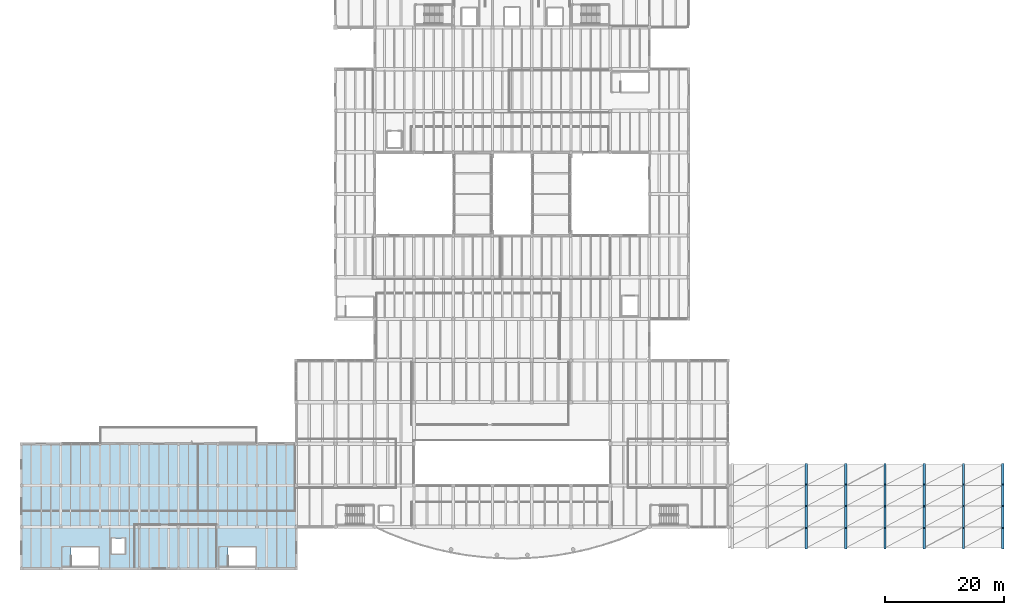
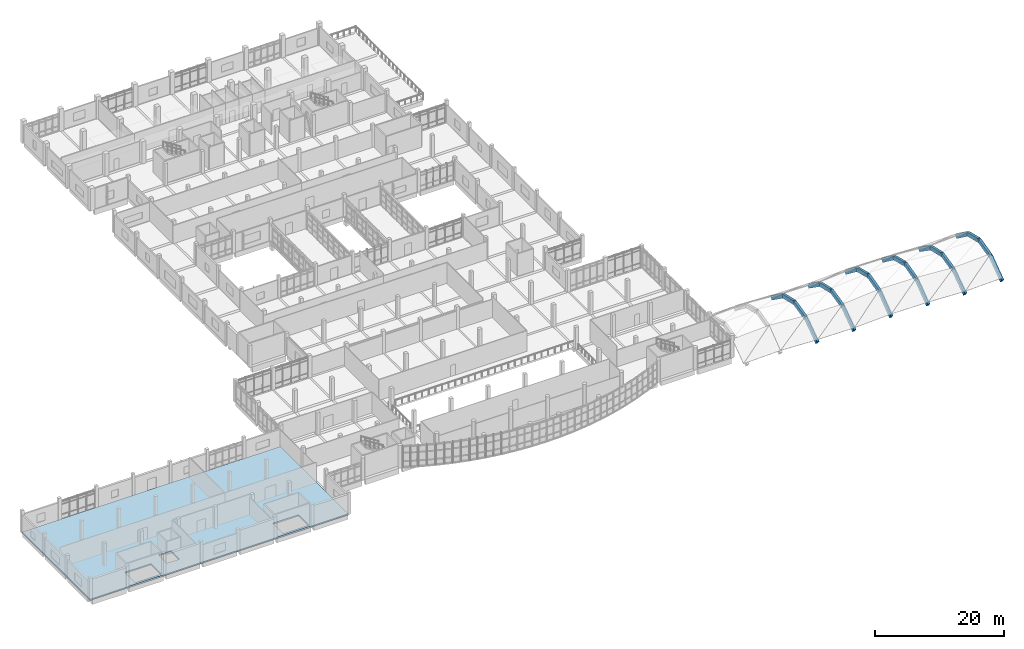
# One storey, part 34 of 65: 24 beams, 1 slab.
"""IFC4 building model written with IfcOpenShell, lengths in metres."""

import ifcopenshell
import ifcopenshell.guid

model = None  # the IFC model being written
_history = None  # IfcOwnerHistory: only IFC2X3 demands one
_inside = {}  # id of a spatial element -> (the spatial element, [elements in it])
_under = {}  # id of a project, library or spatial element -> (it, [spatial elements below it])
_declared = {}  # id of a project -> (the project, [libraries it declares])
_typed = {}  # id of a type object -> (the type object, [elements of that type])
_made_of = {}  # id of a material, layer set ... -> (it, [elements and type objects made of it])


def new_model(schema):
    """Start an empty IFC model of exactly this schema.

    Asked for "IFC4X3", IfcOpenShell would pick the latest addendum, in which some entities
    have other attributes; the version numbers below select the first issue.
    IFC2X3 requires an IfcOwnerHistory on every rooted entity: one is made here for all.
    """
    global model, _history
    if schema == "IFC4X3":
        model = ifcopenshell.file(schema_version=(4, 3, 0, 0))
    else:
        model = ifcopenshell.file(schema=schema)
    _inside.clear()
    _under.clear()
    _declared.clear()
    _typed.clear()
    _made_of.clear()
    _history = None
    if model.schema == "IFC2X3":
        org = make("IfcOrganization", Name="unknown")
        user = make(
            "IfcPersonAndOrganization",
            ThePerson=make("IfcPerson", FamilyName="unknown"),
            TheOrganization=org,
        )
        app = make(
            "IfcApplication",
            ApplicationDeveloper=org,
            Version="unknown",
            ApplicationFullName="unknown",
            ApplicationIdentifier="unknown",
        )
        _history = make(
            "IfcOwnerHistory",
            OwningUser=user,
            OwningApplication=app,
            ChangeAction="ADDED",
            CreationDate=0,
        )
    return model


def make(cls, **values):
    """One entity of the class cls with the attributes given. An attribute that is None is left unset."""
    return model.create_entity(
        cls, **{name: value for name, value in values.items() if value is not None}
    )


def rooted(cls, **values):
    """An entity with a GlobalId (a new one), such as an element, a storey or a relation."""
    return make(cls, GlobalId=ifcopenshell.guid.new(), OwnerHistory=_history, **values)


def si_unit(unit_type, name, prefix=None):
    """IfcSIUnit, for example si_unit("LENGTHUNIT", "METRE", prefix="MILLI")."""
    return make("IfcSIUnit", UnitType=unit_type, Prefix=prefix, Name=name)


def assignment(units):
    """IfcUnitAssignment: the units of a project."""
    return None if units is None else make("IfcUnitAssignment", Units=units)


def point(xyz):
    """IfcCartesianPoint."""
    return None if xyz is None else make("IfcCartesianPoint", Coordinates=xyz)


def direction(xyz):
    """IfcDirection."""
    return None if xyz is None else make("IfcDirection", DirectionRatios=xyz)


def frame(location, z_axis=None, x_axis=None):
    """IfcAxis2Placement3D, a coordinate frame: its origin and axes. An axis left out is left unset."""
    return make(
        "IfcAxis2Placement3D",
        Location=point(location),
        Axis=direction(z_axis),
        RefDirection=direction(x_axis),
    )


def frame_2d(location, x_axis=None):
    """IfcAxis2Placement2D, a coordinate frame in the plane: its origin and x axis."""
    return make(
        "IfcAxis2Placement2D", Location=point(location), RefDirection=direction(x_axis)
    )


def origin():
    """The frame at (0, 0, 0) with its axes left unset."""
    return frame((0.0, 0.0, 0.0))


def origin_2d():
    """The frame at (0, 0) in the plane with its x axis left unset."""
    return frame_2d((0.0, 0.0))


def place(relative_to, where):
    """IfcLocalPlacement: puts the frame where relative to a parent placement (None: the world)."""
    return make(
        "IfcLocalPlacement", PlacementRelTo=relative_to, RelativePlacement=where
    )


def context(
    kind, dimensions, precision=None, world=None, true_north=None, identifier=None
):
    """IfcGeometricRepresentationContext, for example the 3D "Model" context."""
    return make(
        "IfcGeometricRepresentationContext",
        ContextIdentifier=identifier,
        ContextType=kind,
        CoordinateSpaceDimension=dimensions,
        Precision=precision,
        WorldCoordinateSystem=world,
        TrueNorth=true_north,
    )


def subcontext(parent, identifier, kind, view, scale=None):
    """IfcGeometricRepresentationSubContext, for example "Body" below "Model"."""
    return make(
        "IfcGeometricRepresentationSubContext",
        ContextIdentifier=identifier,
        ContextType=kind,
        ParentContext=parent,
        TargetScale=scale,
        TargetView=view,
    )


def project(units=None, contexts=None):
    """IfcProject with its units and contexts."""
    return rooted(
        "IfcProject",
        Name="project",
        RepresentationContexts=contexts,
        UnitsInContext=assignment(units),
    )


def spatial(cls, under=None, at=None, **own):
    """A site, building, storey or space (cls), placed at a placement, below another one or the project."""
    s = rooted(cls, ObjectPlacement=at, **own)
    if under is not None:
        _under.setdefault(under.id(), (under, []))[1].append(s)
    return s


def polyline(points):
    """IfcPolyline through the points."""
    return make("IfcPolyline", Points=[point(p) for p in points])


def profile(cls, at=None, kind="AREA", **sizes):
    """A parametric profile (cls). Its sizes go by their IFC names, for example OverallWidth=200.0."""
    return make(cls, ProfileType=kind, Position=at, **sizes)


def rectangle(**sizes):
    """IfcRectangleProfileDef."""
    return profile("IfcRectangleProfileDef", **sizes)


def outline(outer, holes=None, kind="AREA"):
    """IfcArbitraryClosedProfileDef: a profile drawn as a closed curve; with holes, ...WithVoids."""
    if holes is None:
        return make("IfcArbitraryClosedProfileDef", ProfileType=kind, OuterCurve=outer)
    return make(
        "IfcArbitraryProfileDefWithVoids",
        ProfileType=kind,
        OuterCurve=outer,
        InnerCurves=holes,
    )


def extrude(swept, where, along, depth):
    """IfcExtrudedAreaSolid: the profile swept, set in the frame where, extruded along a direction by depth."""
    return make(
        "IfcExtrudedAreaSolid",
        SweptArea=swept,
        Position=where,
        ExtrudedDirection=direction(along),
        Depth=depth,
    )


def shape(context_of_items, identifier, shape_type, items):
    """IfcShapeRepresentation: the items that make up one representation, for example the "Body"."""
    return make(
        "IfcShapeRepresentation",
        ContextOfItems=context_of_items,
        RepresentationIdentifier=identifier,
        RepresentationType=shape_type,
        Items=items,
    )


def material(Name=None, Category=None):
    """IfcMaterial."""
    return make("IfcMaterial", Name=Name, Category=Category)


def layer(
    of_material, thickness, ventilated=None, Name=None, Category=None, Priority=None
):
    """IfcMaterialLayer: one layer of a wall or slab, of a material (None: an air gap)."""
    return make(
        "IfcMaterialLayer",
        Material=of_material,
        LayerThickness=thickness,
        IsVentilated=ventilated,
        Name=Name,
        Category=Category,
        Priority=Priority,
    )


def layer_set(layers, Name=None):
    """IfcMaterialLayerSet."""
    return make("IfcMaterialLayerSet", MaterialLayers=layers, LayerSetName=Name)


def material_profile(
    of_material, cross_section, Name=None, Category=None, Priority=None
):
    """IfcMaterialProfile: a cross section and its material."""
    return make(
        "IfcMaterialProfile",
        Name=Name,
        Material=of_material,
        Profile=cross_section,
        Priority=Priority,
        Category=Category,
    )


def profile_set(profiles, Name=None, composite=None):
    """IfcMaterialProfileSet."""
    return make(
        "IfcMaterialProfileSet",
        Name=Name,
        MaterialProfiles=profiles,
        CompositeProfile=composite,
    )


def made_of(thing, what):
    """Note that an element or type object is made of a material, layer set ...; save() writes the relation."""
    if what is not None:
        _made_of.setdefault(what.id(), (what, []))[1].append(thing)
    return thing


def type_object(cls, material=None, **own):
    """A type object (cls), such as IfcWallType, which elements share."""
    return made_of(rooted(cls, **own), material)


def element(
    cls,
    number,
    at=None,
    inside=None,
    cuts=None,
    type_object=None,
    material=None,
    context=None,
    identifier="Body",
    shape_type=None,
    held_by="IfcProductDefinitionShape",
    body=None,
    shapes=None,
    **own,
):
    """One element of the class cls, such as IfcWall. Its Tag is "e" and its number.

    at: its placement. inside: the storey or other place that contains it. cuts: it is an
    opening in that element (IfcRelVoidsElement). A single representation is given by context,
    identifier, shape_type and body (its items); several are given by shapes. held_by: the class
    of the entity that holds the representations. save() writes the other relations.
    """
    e = rooted(cls, Tag="e%d" % number, ObjectPlacement=at, **own)
    if body is not None:
        shapes = [shape(context, identifier, shape_type, body)]
    if shapes is not None:
        e.Representation = make(held_by, Representations=shapes)
    if inside is not None:
        _inside.setdefault(inside.id(), (inside, []))[1].append(e)
    if cuts is not None:
        rooted(
            "IfcRelVoidsElement", RelatingBuildingElement=cuts, RelatedOpeningElement=e
        )
    if type_object is not None:
        _typed.setdefault(type_object.id(), (type_object, []))[1].append(e)
    return made_of(e, material)


def aggregate(whole, parts):
    """IfcRelAggregates: a whole, such as a stair, and the parts it consists of."""
    return rooted("IfcRelAggregates", RelatingObject=whole, RelatedObjects=parts)


def save(model, path):
    """Write the relations noted so far, then the file.

    IfcRelAggregates (storeys below a building ...), IfcRelContainedInSpatialStructure (elements
    in a storey), IfcRelDefinesByType, IfcRelAssociatesMaterial and IfcRelDeclares: one each for
    every whole, place, type object, material and project.
    """
    for whole, parts in _under.values():
        aggregate(whole, parts)
    for where, things in _inside.values():
        rooted(
            "IfcRelContainedInSpatialStructure",
            RelatedElements=things,
            RelatingStructure=where,
        )
    for kind, things in _typed.values():
        rooted("IfcRelDefinesByType", RelatedObjects=things, RelatingType=kind)
    for what, things in _made_of.values():
        rooted("IfcRelAssociatesMaterial", RelatedObjects=things, RelatingMaterial=what)
    for by, libraries in _declared.values():
        rooted("IfcRelDeclares", RelatingContext=by, RelatedDefinitions=libraries)
    model.write(path)


model = new_model("IFC4")

# Units and contexts
model_context = context("Model", 3, precision=1e-05, world=origin(), true_north=direction((0.0, 1.0)))
body_context = subcontext(model_context, "Body", "Model", "MODEL_VIEW")
ifc_project = project(units=[si_unit("LENGTHUNIT", "METRE"), si_unit("AREAUNIT", "SQUARE_METRE"), si_unit("VOLUMEUNIT", "CUBIC_METRE"), si_unit("PLANEANGLEUNIT", "RADIAN"), si_unit("MASSUNIT", "GRAM", prefix="KILO")], contexts=[model_context])

# Site, building, storey
site_placement = place(None, origin())
site = spatial("IfcSite", under=ifc_project, at=site_placement, CompositionType="ELEMENT")
building_placement = place(site_placement, origin())
building = spatial("IfcBuilding", under=site, at=building_placement, Name="Ciguamira Faculty of Natural Sciences", CompositionType="ELEMENT")
storey_placement = place(building_placement, frame((0.0, 0.0, 12.60009765625)))
storey = spatial("IfcBuildingStorey", under=building, at=storey_placement, Name="L03", CompositionType="ELEMENT", Elevation=12.60009765625)

# Beams
ifc_material = material(Name="Concrete C40/50", Category="concrete")
ifc_material_profile = material_profile(ifc_material, rectangle(XDim=0.419921875, YDim=0.739990234375, at=origin_2d()), Name="RC-BM-420X740")
ifc_profile_set = profile_set([ifc_material_profile], Name="Concrete C40/50")
beam_type = type_object("IfcBeamType", Name="RCBeam_BG-07_RC-BM-420X740", PredefinedType="BEAM", material=ifc_profile_set)
beam_1_placement = place(storey_placement, frame((136.5, 6.5, 0.18212890625), z_axis=(0.0, 0.815263778727, 0.579089778096), x_axis=(-1.0, 0.0, 0.0)))
element("IfcBeam", 1, at=beam_1_placement, inside=storey, type_object=beam_type, Name="V1 shell RC arch rib 03-02", PredefinedType="BEAM", context=body_context, shape_type="SweptSolid", body=[
    extrude(rectangle(XDim=0.419921875, YDim=0.739990234375, at=origin_2d()), origin(), (0.0, 0.0, 1.0), 4.29296875),
])
for number, where, z_axis, x_axis, name in (
    (2, (136.5, 10.0, 2.668212890625), (0.0, 0.972596903367, 0.232497878616), (-1.0, 0.0, 0.0), "V1 shell RC arch rib 03-03"),
    (3, (136.5, 13.5, 3.5048828125), (0.0, 0.972596903367, -0.232497878616), (-1.0, 0.0, 0.0), "V1 shell RC arch rib 03-04"),
):
    element("IfcBeam", number, at=place(storey_placement, frame(where, z_axis=z_axis, x_axis=x_axis)), inside=storey, type_object=beam_type, Name=name, PredefinedType="BEAM", context=body_context, shape_type="SweptSolid", body=[
        extrude(rectangle(XDim=0.419921875, YDim=0.739990234375, at=origin_2d()), origin(), (0.0, 0.0, 1.0), 3.5986328125),
    ])
beam_2_placement = place(storey_placement, frame((136.5, 17.0, 2.668212890625), z_axis=(0.0, 0.815263778727, -0.579089778096), x_axis=(-1.0, 0.0, 0.0)))
element("IfcBeam", 4, at=beam_2_placement, inside=storey, type_object=beam_type, Name="V1 shell RC arch rib 03-05", PredefinedType="BEAM", context=body_context, shape_type="SweptSolid", body=[
    extrude(rectangle(XDim=0.419921875, YDim=0.739990234375, at=origin_2d()), origin(), (0.0, 0.0, 1.0), 4.29296875),
])
beam_3_placement = place(storey_placement, frame((143.10009765625, 6.5, 0.115966796875), z_axis=(0.0, 0.820579571252, 0.571532297639), x_axis=(-1.0, 0.0, 0.0)))
element("IfcBeam", 5, at=beam_3_placement, inside=storey, type_object=beam_type, Name="V1 shell RC arch rib 04-02", PredefinedType="BEAM", context=body_context, shape_type="SweptSolid", body=[
    extrude(rectangle(XDim=0.419921875, YDim=0.739990234375, at=origin_2d()), origin(), (0.0, 0.0, 1.0), 4.265380859375),
])
for number, where, z_axis, x_axis, name in (
    (6, (143.10009765625, 10.0, 2.5537109375), (0.0, 0.973691705822, 0.227869396835), (-1.0, 0.0, 0.0), "V1 shell RC arch rib 04-03"),
    (7, (143.10009765625, 13.5, 3.372802734375), (0.0, 0.973691705822, -0.227869396835), (-1.0, 0.0, 0.0), "V1 shell RC arch rib 04-04"),
):
    element("IfcBeam", number, at=place(storey_placement, frame(where, z_axis=z_axis, x_axis=x_axis)), inside=storey, type_object=beam_type, Name=name, PredefinedType="BEAM", context=body_context, shape_type="SweptSolid", body=[
        extrude(rectangle(XDim=0.419921875, YDim=0.739990234375, at=origin_2d()), origin(), (0.0, 0.0, 1.0), 3.594482421875),
    ])
beam_4_placement = place(storey_placement, frame((143.10009765625, 17.0, 2.5537109375), z_axis=(0.0, 0.820579571252, -0.571532297639), x_axis=(-1.0, 0.0, 0.0)))
element("IfcBeam", 8, at=beam_4_placement, inside=storey, type_object=beam_type, Name="V1 shell RC arch rib 04-05", PredefinedType="BEAM", context=body_context, shape_type="SweptSolid", body=[
    extrude(rectangle(XDim=0.419921875, YDim=0.739990234375, at=origin_2d()), origin(), (0.0, 0.0, 1.0), 4.265380859375),
])
beam_5_placement = place(storey_placement, frame((149.699951171875, 6.5, 0.4130859375), z_axis=(0.0, 0.796706957144, 0.604365803498), x_axis=(-1.0, 0.0, 0.0)))
element("IfcBeam", 9, at=beam_5_placement, inside=storey, type_object=beam_type, Name="V1 shell RC arch rib 05-02", PredefinedType="BEAM", context=body_context, shape_type="SweptSolid", body=[
    extrude(rectangle(XDim=0.419921875, YDim=0.739990234375, at=origin_2d()), origin(), (0.0, 0.0, 1.0), 4.39306640625),
])
for number, where, z_axis, x_axis, name in (
    (10, (149.699951171875, 10.0, 3.068115234375), (0.0, 0.968564592705, 0.248762195197), (-1.0, 0.0, 0.0), "V1 shell RC arch rib 05-03"),
    (11, (149.699951171875, 13.5, 3.967041015625), (0.0, 0.968564592705, -0.248762195197), (-1.0, 0.0, 0.0), "V1 shell RC arch rib 05-04"),
):
    element("IfcBeam", number, at=place(storey_placement, frame(where, z_axis=z_axis, x_axis=x_axis)), inside=storey, type_object=beam_type, Name=name, PredefinedType="BEAM", context=body_context, shape_type="SweptSolid", body=[
        extrude(rectangle(XDim=0.419921875, YDim=0.739990234375, at=origin_2d()), origin(), (0.0, 0.0, 1.0), 3.613525390625),
    ])
beam_6_placement = place(storey_placement, frame((149.699951171875, 17.0, 3.068115234375), z_axis=(0.0, 0.796706957144, -0.604365803498), x_axis=(-1.0, 0.0, 0.0)))
element("IfcBeam", 12, at=beam_6_placement, inside=storey, type_object=beam_type, Name="V1 shell RC arch rib 05-05", PredefinedType="BEAM", context=body_context, shape_type="SweptSolid", body=[
    extrude(rectangle(XDim=0.419921875, YDim=0.739990234375, at=origin_2d()), origin(), (0.0, 0.0, 1.0), 4.39306640625),
])
beam_7_placement = place(storey_placement, frame((156.300048828125, 6.5, 0.346923828125), z_axis=(0.0, 0.802009467884, 0.597311320355), x_axis=(-1.0, 0.0, 0.0)))
element("IfcBeam", 13, at=beam_7_placement, inside=storey, type_object=beam_type, Name="V1 shell RC arch rib 06-02", PredefinedType="BEAM", context=body_context, shape_type="SweptSolid", body=[
    extrude(rectangle(XDim=0.419921875, YDim=0.739990234375, at=origin_2d()), origin(), (0.0, 0.0, 1.0), 4.364013671875),
])
for number, where, z_axis, x_axis, name in (
    (14, (156.300048828125, 10.0, 2.95361328125), (0.0, 0.969743289099, 0.244126920365), (-1.0, 0.0, 0.0), "V1 shell RC arch rib 06-03"),
    (15, (156.300048828125, 13.5, 3.834716796875), (0.0, 0.969743289099, -0.244126920365), (-1.0, 0.0, 0.0), "V1 shell RC arch rib 06-04"),
):
    element("IfcBeam", number, at=place(storey_placement, frame(where, z_axis=z_axis, x_axis=x_axis)), inside=storey, type_object=beam_type, Name=name, PredefinedType="BEAM", context=body_context, shape_type="SweptSolid", body=[
        extrude(rectangle(XDim=0.419921875, YDim=0.739990234375, at=origin_2d()), origin(), (0.0, 0.0, 1.0), 3.609130859375),
    ])
beam_8_placement = place(storey_placement, frame((156.300048828125, 17.0, 2.95361328125), z_axis=(0.0, 0.802009467884, -0.597311320355), x_axis=(-1.0, 0.0, 0.0)))
element("IfcBeam", 16, at=beam_8_placement, inside=storey, type_object=beam_type, Name="V1 shell RC arch rib 06-05", PredefinedType="BEAM", context=body_context, shape_type="SweptSolid", body=[
    extrude(rectangle(XDim=0.419921875, YDim=0.739990234375, at=origin_2d()), origin(), (0.0, 0.0, 1.0), 4.364013671875),
])
beam_9_placement = place(storey_placement, frame((162.89990234375, 6.5, 0.079345703125), z_axis=(0.0, 0.823558888153, 0.567230779968), x_axis=(-1.0, 0.0, 0.0)))
element("IfcBeam", 17, at=beam_9_placement, inside=storey, type_object=beam_type, Name="V1 shell RC arch rib 07-02", PredefinedType="BEAM", context=body_context, shape_type="SweptSolid", body=[
    extrude(rectangle(XDim=0.419921875, YDim=0.739990234375, at=origin_2d()), origin(), (0.0, 0.0, 1.0), 4.249755859375),
])
for number, where, z_axis, x_axis, name in (
    (18, (162.89990234375, 10.0, 2.489990234375), (0.0, 0.974291449069, 0.225291305362), (-1.0, 0.0, 0.0), "V1 shell RC arch rib 07-03"),
    (19, (162.89990234375, 13.5, 3.29931640625), (0.0, 0.974291449069, -0.225291305362), (-1.0, 0.0, 0.0), "V1 shell RC arch rib 07-04"),
):
    element("IfcBeam", number, at=place(storey_placement, frame(where, z_axis=z_axis, x_axis=x_axis)), inside=storey, type_object=beam_type, Name=name, PredefinedType="BEAM", context=body_context, shape_type="SweptSolid", body=[
        extrude(rectangle(XDim=0.419921875, YDim=0.739990234375, at=origin_2d()), origin(), (0.0, 0.0, 1.0), 3.59228515625),
    ])
beam_10_placement = place(storey_placement, frame((162.89990234375, 17.0, 2.489990234375), z_axis=(0.0, 0.823558888153, -0.567230779968), x_axis=(-1.0, 0.0, 0.0)))
element("IfcBeam", 20, at=beam_10_placement, inside=storey, type_object=beam_type, Name="V1 shell RC arch rib 07-05", PredefinedType="BEAM", context=body_context, shape_type="SweptSolid", body=[
    extrude(rectangle(XDim=0.419921875, YDim=0.739990234375, at=origin_2d()), origin(), (0.0, 0.0, 1.0), 4.249755859375),
])
beam_11_placement = place(storey_placement, frame((169.5, 6.5, 0.2646484375), z_axis=(0.0, 0.808660460842, 0.588275665884), x_axis=(-1.0, 0.0, 0.0)))
element("IfcBeam", 21, at=beam_11_placement, inside=storey, type_object=beam_type, Name="V1 shell RC arch rib 08-02", PredefinedType="BEAM", context=body_context, shape_type="SweptSolid", body=[
    extrude(rectangle(XDim=0.419921875, YDim=0.739990234375, at=origin_2d()), origin(), (0.0, 0.0, 1.0), 4.328125),
])
for number, where, z_axis, x_axis, name in (
    (22, (169.5, 10.0, 2.810791015625), (0.0, 0.971169724077, 0.23838910847), (-1.0, 0.0, 0.0), "V1 shell RC arch rib 08-03"),
    (23, (169.5, 13.5, 3.669921875), (0.0, 0.971169724077, -0.23838910847), (-1.0, 0.0, 0.0), "V1 shell RC arch rib 08-04"),
):
    element("IfcBeam", number, at=place(storey_placement, frame(where, z_axis=z_axis, x_axis=x_axis)), inside=storey, type_object=beam_type, Name=name, PredefinedType="BEAM", context=body_context, shape_type="SweptSolid", body=[
        extrude(rectangle(XDim=0.419921875, YDim=0.739990234375, at=origin_2d()), origin(), (0.0, 0.0, 1.0), 3.60400390625),
    ])
beam_12_placement = place(storey_placement, frame((169.5, 17.0, 2.810791015625), z_axis=(0.0, 0.808660460842, -0.588275665884), x_axis=(-1.0, 0.0, 0.0)))
element("IfcBeam", 24, at=beam_12_placement, inside=storey, type_object=beam_type, Name="V1 shell RC arch rib 08-05", PredefinedType="BEAM", context=body_context, shape_type="SweptSolid", body=[
    extrude(rectangle(XDim=0.419921875, YDim=0.739990234375, at=origin_2d()), origin(), (0.0, 0.0, 1.0), 4.328125),
])

# Slab
ifc_layer = layer(ifc_material, 0.260009765625, Name="Concrete C40/50")
ifc_layer_set = layer_set([ifc_layer], Name="Concrete C40/50")
slab_type = type_object("IfcSlabType", Name="Slab_SF-04_260", PredefinedType="FLOOR", material=ifc_layer_set)
slab_placement = place(storey_placement, frame((0.0, 0.0, -0.260009765625)))
element("IfcSlab", 25, at=slab_placement, inside=storey, type_object=slab_type, Name="L03 V2 structural slab", PredefinedType="FLOOR", context=body_context, shape_type="SweptSolid", body=[
    extrude(outline(polyline([(4.5, 3.0), (50.64990234375, 3.0), (50.64990234375, 24.0), (4.5, 24.0), (4.5, 3.0)]), holes=[polyline([(12.860107421875, 3.449951171875), (17.449951171875, 3.449951171875), (17.449951171875, 6.610107421875), (12.860107421875, 6.610107421875), (12.860107421875, 3.449951171875)]), polyline([(39.260009765625, 3.449951171875), (43.85009765625, 3.449951171875), (43.85009765625, 6.610107421875), (39.260009765625, 6.610107421875), (39.260009765625, 3.449951171875)]), polyline([(19.699951171875, 5.5), (21.89990234375, 5.5), (21.89990234375, 8.10009765625), (19.699951171875, 8.10009765625), (19.699951171875, 5.5)])]), origin(), (0.0, 0.0, 1.0), 0.260009765625),
])

save(model, "model.ifc")
